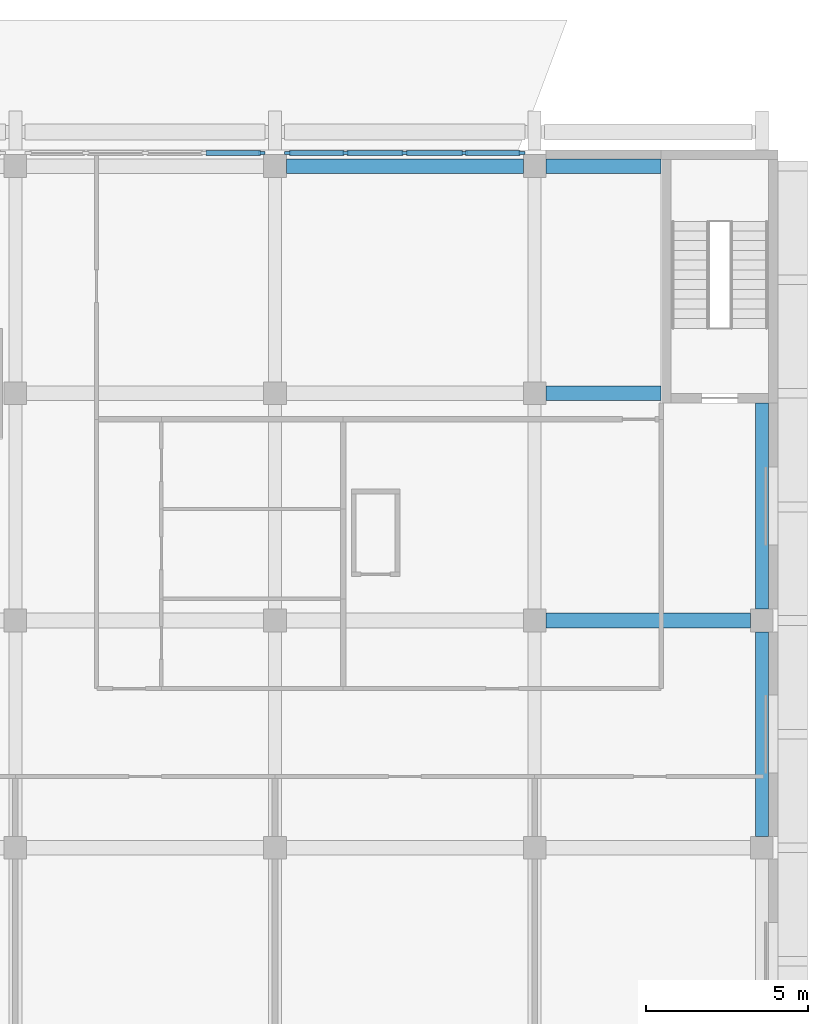
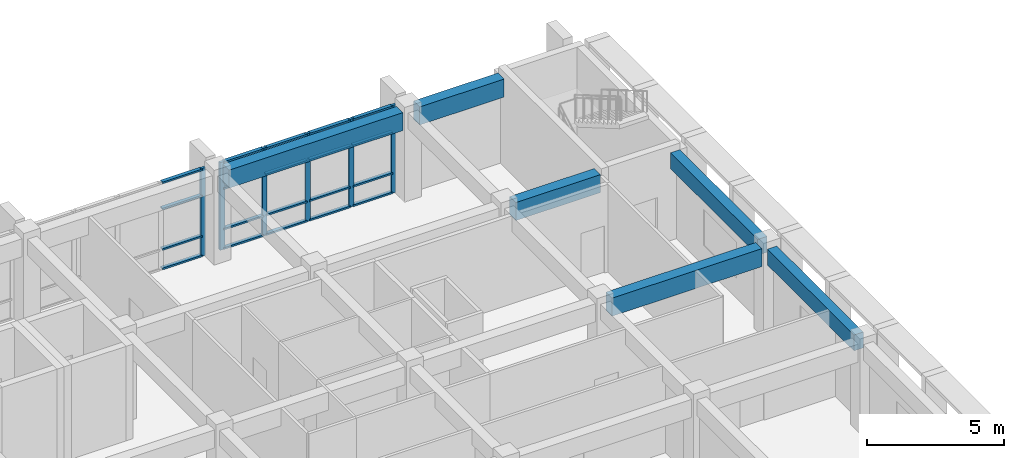
# One storey, part 17 of 45: 26 members, 6 beams, 2 elements without a shape of their own.
"""IFC4 building model written with IfcOpenShell, lengths in metres."""

from ifc_helpers import new_model, si_unit, direction, frame, origin, origin_2d, place, context, subcontext, project, spatial, rectangle, extrude, material, material_profile, profile_set, type_object, element, aggregate, save


model = new_model("IFC4")

# Units and contexts
model_context = context("Model", 3, precision=1e-05, world=origin(), true_north=direction((0.0, 1.0)))
body_context = subcontext(model_context, "Body", "Model", "MODEL_VIEW")
ifc_project = project(units=[si_unit("LENGTHUNIT", "METRE"), si_unit("AREAUNIT", "SQUARE_METRE"), si_unit("VOLUMEUNIT", "CUBIC_METRE"), si_unit("PLANEANGLEUNIT", "RADIAN"), si_unit("MASSUNIT", "GRAM", prefix="KILO")], contexts=[model_context])

# Site, building, storey
site_placement = place(None, origin())
site = spatial("IfcSite", under=ifc_project, at=site_placement, CompositionType="ELEMENT")
building_placement = place(site_placement, origin())
building = spatial("IfcBuilding", under=site, at=building_placement, Name="Elmora Arch Market Hall", CompositionType="ELEMENT")
storey_placement = place(building_placement, frame((0.0, 0.0, 6.0)))
storey = spatial("IfcBuildingStorey", under=building, at=storey_placement, Name="L01", CompositionType="ELEMENT", Elevation=6.0)

# Curtain wall, member
ifc_material_1 = material(Name="Aluminium", Category="aluminium")
curtain_wall_type = type_object("IfcCurtainWallType", Name="School front curtain wall", PredefinedType="NOTDEFINED", material=ifc_material_1)
curtain_wall_1_placement = place(storey_placement, origin())
curtain_wall_1 = element("IfcCurtainWall", 1, at=curtain_wall_1_placement, inside=storey, type_object=curtain_wall_type, Name="School street front L01 3", PredefinedType="NOTDEFINED")
ifc_material_2 = material(Name="Aluminium", Category="aluminium")
ifc_material_profile_1 = material_profile(ifc_material_2, rectangle(XDim=0.10009765625, YDim=0.199951171875, at=origin_2d()), Name="AL 100x200")
ifc_profile_set_1 = profile_set([ifc_material_profile_1], Name="Aluminium")
member_type_1 = type_object("IfcMemberType", Name="Mullion 100x200", PredefinedType="MULLION", material=ifc_profile_set_1)
member_1_placement = place(storey_placement, frame((118.10009765625, 165.89990234375, 0.0), z_axis=(0.0, 0.0, 1.0), x_axis=(0.0, 1.0, 0.0)))
member_1 = element("IfcMember", 2, at=member_1_placement, type_object=member_type_1, Name="CW5 mullion 5", PredefinedType="MULLION", context=body_context, shape_type="SweptSolid", body=[
    extrude(rectangle(XDim=0.10009765625, YDim=0.199951171875, at=origin_2d()), origin(), (0.0, 0.0, 1.0), 3.89990234375),
])

# Curtain wall, members
curtain_wall_2_placement = place(storey_placement, origin())
curtain_wall_2 = element("IfcCurtainWall", 3, at=curtain_wall_2_placement, inside=storey, type_object=curtain_wall_type, Name="School street front L01 4", PredefinedType="NOTDEFINED")
member_2_placement = place(storey_placement, frame((118.89990234375, 165.89990234375, 0.0), z_axis=(0.0, 0.0, 1.0), x_axis=(0.0, 1.0, 0.0)))
member_2 = element("IfcMember", 4, at=member_2_placement, type_object=member_type_1, Name="CW5 mullion 1", PredefinedType="MULLION", context=body_context, shape_type="SweptSolid", body=[
    extrude(rectangle(XDim=0.10009765625, YDim=0.199951171875, at=origin_2d()), origin(), (0.0, 0.0, 1.0), 3.89990234375),
])
member_3_placement = place(storey_placement, frame((120.675048828125, 165.89990234375, 0.0), z_axis=(0.0, 0.0, 1.0), x_axis=(0.0, 1.0, 0.0)))
member_3 = element("IfcMember", 5, at=member_3_placement, type_object=member_type_1, Name="CW5 mullion 2", PredefinedType="MULLION", context=body_context, shape_type="SweptSolid", body=[
    extrude(rectangle(XDim=0.10009765625, YDim=0.199951171875, at=origin_2d()), origin(), (0.0, 0.0, 1.0), 3.89990234375),
])
member_4_placement = place(storey_placement, frame((122.5, 165.89990234375, 0.0), z_axis=(0.0, 0.0, 1.0), x_axis=(0.0, 1.0, 0.0)))
member_4 = element("IfcMember", 6, at=member_4_placement, type_object=member_type_1, Name="CW5 mullion 3", PredefinedType="MULLION", context=body_context, shape_type="SweptSolid", body=[
    extrude(rectangle(XDim=0.10009765625, YDim=0.199951171875, at=origin_2d()), origin(), (0.0, 0.0, 1.0), 3.89990234375),
])
member_5_placement = place(storey_placement, frame((124.324951171875, 165.89990234375, 0.0), z_axis=(0.0, 0.0, 1.0), x_axis=(0.0, 1.0, 0.0)))
member_5 = element("IfcMember", 7, at=member_5_placement, type_object=member_type_1, Name="CW5 mullion 4", PredefinedType="MULLION", context=body_context, shape_type="SweptSolid", body=[
    extrude(rectangle(XDim=0.10009765625, YDim=0.199951171875, at=origin_2d()), origin(), (0.0, 0.0, 1.0), 3.89990234375),
])
member_6_placement = place(storey_placement, frame((126.10009765625, 165.89990234375, 0.0), z_axis=(0.0, 0.0, 1.0), x_axis=(0.0, 1.0, 0.0)))
member_6 = element("IfcMember", 8, at=member_6_placement, type_object=member_type_1, Name="CW5 mullion 5", PredefinedType="MULLION", context=body_context, shape_type="SweptSolid", body=[
    extrude(rectangle(XDim=0.10009765625, YDim=0.199951171875, at=origin_2d()), origin(), (0.0, 0.0, 1.0), 3.89990234375),
])

# Beams
ifc_material_3 = material(Name="Concrete C32/40", Category="concrete")
ifc_material_profile_2 = material_profile(ifc_material_3, rectangle(XDim=0.39990234375, YDim=0.699951171875, at=origin_2d()), Name="School beam 400x700")
ifc_profile_set_2 = profile_set([ifc_material_profile_2], Name="Concrete C32/40")
beam_type_1 = type_object("IfcBeamType", Name="School beam 400x700", PredefinedType="BEAM", material=ifc_profile_set_2)
beam_1_placement = place(storey_placement, frame((133.5, 144.85009765625, 3.550048828125), z_axis=(0.0, 1.0, 0.0), x_axis=(-1.0, 0.0, 0.0)))
element("IfcBeam", 9, at=beam_1_placement, inside=storey, type_object=beam_type_1, Name="School beam SY7 L01.3", PredefinedType="BEAM", context=body_context, shape_type="SweptSolid", body=[
    extrude(rectangle(XDim=0.39990234375, YDim=0.699951171875, at=origin_2d()), origin(), (0.0, 0.0, 1.0), 6.2998046875),
])
beam_2_placement = place(storey_placement, frame((133.5, 151.85009765625, 3.550048828125), z_axis=(0.0, 1.0, 0.0), x_axis=(-1.0, 0.0, 0.0)))
element("IfcBeam", 10, at=beam_2_placement, inside=storey, type_object=beam_type_1, Name="School beam SY7 L01.4", PredefinedType="BEAM", context=body_context, shape_type="SweptSolid", body=[
    extrude(rectangle(XDim=0.39990234375, YDim=0.699951171875, at=origin_2d()), origin(), (0.0, 0.0, 1.0), 6.349853515625),
])
ifc_material_4 = material(Name="Concrete C32/40", Category="concrete")
ifc_material_profile_3 = material_profile(ifc_material_4, rectangle(XDim=0.449951171875, YDim=0.800048828125, at=origin_2d()), Name="School girder 450x800")
ifc_profile_set_3 = profile_set([ifc_material_profile_3], Name="Concrete C32/40")
beam_type_2 = type_object("IfcBeamType", Name="School girder 450x800", PredefinedType="BEAM", material=ifc_profile_set_3)
beam_3_placement = place(storey_placement, frame((126.85009765625, 151.5, 3.5), z_axis=(1.0, 0.0, 0.0), x_axis=(0.0, 1.0, 0.0)))
element("IfcBeam", 11, at=beam_3_placement, inside=storey, type_object=beam_type_2, Name="School girder SX4 L01.6", PredefinedType="BEAM", context=body_context, shape_type="SweptSolid", body=[
    extrude(rectangle(XDim=0.449951171875, YDim=0.800048828125, at=origin_2d()), origin(), (0.0, 0.0, 1.0), 6.2998046875),
])
beam_4_placement = place(storey_placement, frame((126.85009765625, 158.5, 3.5), z_axis=(1.0, 0.0, 0.0), x_axis=(0.0, 1.0, 0.0)))
element("IfcBeam", 12, at=beam_4_placement, inside=storey, type_object=beam_type_2, Name="School girder SX5 L01.6", PredefinedType="BEAM", context=body_context, shape_type="SweptSolid", body=[
    extrude(rectangle(XDim=0.449951171875, YDim=0.800048828125, at=origin_2d()), origin(), (0.0, 0.0, 1.0), 3.5498046875),
])
beam_5_placement = place(storey_placement, frame((118.85009765625, 165.5, 3.5), z_axis=(1.0, 0.0, 0.0), x_axis=(0.0, 1.0, 0.0)))
element("IfcBeam", 13, at=beam_5_placement, inside=storey, type_object=beam_type_2, Name="School girder SX6 L01.5", PredefinedType="BEAM", context=body_context, shape_type="SweptSolid", body=[
    extrude(rectangle(XDim=0.449951171875, YDim=0.800048828125, at=origin_2d()), origin(), (0.0, 0.0, 1.0), 7.2998046875),
])
beam_6_placement = place(storey_placement, frame((126.85009765625, 165.5, 3.5), z_axis=(1.0, 0.0, 0.0), x_axis=(0.0, 1.0, 0.0)))
element("IfcBeam", 14, at=beam_6_placement, inside=storey, type_object=beam_type_2, Name="School girder SX6 L01.6", PredefinedType="BEAM", context=body_context, shape_type="SweptSolid", body=[
    extrude(rectangle(XDim=0.449951171875, YDim=0.800048828125, at=origin_2d()), origin(), (0.0, 0.0, 1.0), 3.5498046875),
])

# Member
ifc_material_5 = material(Name="Aluminium", Category="aluminium")
ifc_material_profile_4 = material_profile(ifc_material_5, rectangle(XDim=0.14990234375, YDim=0.074951171875, at=origin_2d()), Name="AL 150x75")
ifc_profile_set_4 = profile_set([ifc_material_profile_4], Name="Aluminium")
member_type_2 = type_object("IfcMemberType", Name="Transom 150x75", PredefinedType="USERDEFINED", material=ifc_profile_set_4)
member_7_placement = place(storey_placement, frame((116.375, 165.89990234375, 0.03759765625), z_axis=(1.0, 0.0, 0.0), x_axis=(0.0, 1.0, 0.0)))
member_7 = element("IfcMember", 15, at=member_7_placement, type_object=member_type_2, Name="CW5 transom 4.1", ObjectType="TRANSOM", PredefinedType="USERDEFINED", context=body_context, shape_type="SweptSolid", body=[
    extrude(rectangle(XDim=0.14990234375, YDim=0.074951171875, at=origin_2d()), origin(), (0.0, 0.0, 1.0), 1.675048828125),
])

member_8_placement = place(storey_placement, frame((116.375, 165.89990234375, 0.89990234375), z_axis=(1.0, 0.0, 0.0), x_axis=(0.0, 1.0, 0.0)))
member_8 = element("IfcMember", 16, at=member_8_placement, type_object=member_type_2, Name="CW5 transom 4.2", ObjectType="TRANSOM", PredefinedType="USERDEFINED", context=body_context, shape_type="SweptSolid", body=[
    extrude(rectangle(XDim=0.14990234375, YDim=0.074951171875, at=origin_2d()), origin(), (0.0, 0.0, 1.0), 1.675048828125),
])

member_9_placement = place(storey_placement, frame((116.375, 165.89990234375, 2.699951171875), z_axis=(1.0, 0.0, 0.0), x_axis=(0.0, 1.0, 0.0)))
member_9 = element("IfcMember", 17, at=member_9_placement, type_object=member_type_2, Name="CW5 transom 4.3", ObjectType="TRANSOM", PredefinedType="USERDEFINED", context=body_context, shape_type="SweptSolid", body=[
    extrude(rectangle(XDim=0.14990234375, YDim=0.074951171875, at=origin_2d()), origin(), (0.0, 0.0, 1.0), 1.675048828125),
])

member_10_placement = place(storey_placement, frame((116.375, 165.89990234375, 3.862548828125), z_axis=(1.0, 0.0, 0.0), x_axis=(0.0, 1.0, 0.0)))
member_10 = element("IfcMember", 18, at=member_10_placement, type_object=member_type_2, Name="CW5 transom 4.4", ObjectType="TRANSOM", PredefinedType="USERDEFINED", context=body_context, shape_type="SweptSolid", body=[
    extrude(rectangle(XDim=0.14990234375, YDim=0.074951171875, at=origin_2d()), origin(), (0.0, 0.0, 1.0), 1.675048828125),
])

aggregate(curtain_wall_1, [member_1, member_7, member_8, member_9, member_10])

member_11_placement = place(storey_placement, frame((118.949951171875, 165.89990234375, 0.03759765625), z_axis=(1.0, 0.0, 0.0), x_axis=(0.0, 1.0, 0.0)))
member_11 = element("IfcMember", 19, at=member_11_placement, type_object=member_type_2, Name="CW5 transom 1.1", ObjectType="TRANSOM", PredefinedType="USERDEFINED", context=body_context, shape_type="SweptSolid", body=[
    extrude(rectangle(XDim=0.14990234375, YDim=0.074951171875, at=origin_2d()), origin(), (0.0, 0.0, 1.0), 1.675048828125),
])

member_12_placement = place(storey_placement, frame((118.949951171875, 165.89990234375, 0.89990234375), z_axis=(1.0, 0.0, 0.0), x_axis=(0.0, 1.0, 0.0)))
member_12 = element("IfcMember", 20, at=member_12_placement, type_object=member_type_2, Name="CW5 transom 1.2", ObjectType="TRANSOM", PredefinedType="USERDEFINED", context=body_context, shape_type="SweptSolid", body=[
    extrude(rectangle(XDim=0.14990234375, YDim=0.074951171875, at=origin_2d()), origin(), (0.0, 0.0, 1.0), 1.675048828125),
])

member_13_placement = place(storey_placement, frame((118.949951171875, 165.89990234375, 2.699951171875), z_axis=(1.0, 0.0, 0.0), x_axis=(0.0, 1.0, 0.0)))
member_13 = element("IfcMember", 21, at=member_13_placement, type_object=member_type_2, Name="CW5 transom 1.3", ObjectType="TRANSOM", PredefinedType="USERDEFINED", context=body_context, shape_type="SweptSolid", body=[
    extrude(rectangle(XDim=0.14990234375, YDim=0.074951171875, at=origin_2d()), origin(), (0.0, 0.0, 1.0), 1.675048828125),
])

member_14_placement = place(storey_placement, frame((118.949951171875, 165.89990234375, 3.862548828125), z_axis=(1.0, 0.0, 0.0), x_axis=(0.0, 1.0, 0.0)))
member_14 = element("IfcMember", 22, at=member_14_placement, type_object=member_type_2, Name="CW5 transom 1.4", ObjectType="TRANSOM", PredefinedType="USERDEFINED", context=body_context, shape_type="SweptSolid", body=[
    extrude(rectangle(XDim=0.14990234375, YDim=0.074951171875, at=origin_2d()), origin(), (0.0, 0.0, 1.0), 1.675048828125),
])

member_15_placement = place(storey_placement, frame((120.72509765625, 165.89990234375, 0.03759765625), z_axis=(1.0, 0.0, 0.0), x_axis=(0.0, 1.0, 0.0)))
member_15 = element("IfcMember", 23, at=member_15_placement, type_object=member_type_2, Name="CW5 transom 2.1", ObjectType="TRANSOM", PredefinedType="USERDEFINED", context=body_context, shape_type="SweptSolid", body=[
    extrude(rectangle(XDim=0.14990234375, YDim=0.074951171875, at=origin_2d()), origin(), (0.0, 0.0, 1.0), 1.724853515625),
])

member_16_placement = place(storey_placement, frame((120.72509765625, 165.89990234375, 0.89990234375), z_axis=(1.0, 0.0, 0.0), x_axis=(0.0, 1.0, 0.0)))
member_16 = element("IfcMember", 24, at=member_16_placement, type_object=member_type_2, Name="CW5 transom 2.2", ObjectType="TRANSOM", PredefinedType="USERDEFINED", context=body_context, shape_type="SweptSolid", body=[
    extrude(rectangle(XDim=0.14990234375, YDim=0.074951171875, at=origin_2d()), origin(), (0.0, 0.0, 1.0), 1.724853515625),
])

member_17_placement = place(storey_placement, frame((120.72509765625, 165.89990234375, 2.699951171875), z_axis=(1.0, 0.0, 0.0), x_axis=(0.0, 1.0, 0.0)))
member_17 = element("IfcMember", 25, at=member_17_placement, type_object=member_type_2, Name="CW5 transom 2.3", ObjectType="TRANSOM", PredefinedType="USERDEFINED", context=body_context, shape_type="SweptSolid", body=[
    extrude(rectangle(XDim=0.14990234375, YDim=0.074951171875, at=origin_2d()), origin(), (0.0, 0.0, 1.0), 1.724853515625),
])

member_18_placement = place(storey_placement, frame((120.72509765625, 165.89990234375, 3.862548828125), z_axis=(1.0, 0.0, 0.0), x_axis=(0.0, 1.0, 0.0)))
member_18 = element("IfcMember", 26, at=member_18_placement, type_object=member_type_2, Name="CW5 transom 2.4", ObjectType="TRANSOM", PredefinedType="USERDEFINED", context=body_context, shape_type="SweptSolid", body=[
    extrude(rectangle(XDim=0.14990234375, YDim=0.074951171875, at=origin_2d()), origin(), (0.0, 0.0, 1.0), 1.724853515625),
])

member_19_placement = place(storey_placement, frame((122.550048828125, 165.89990234375, 0.03759765625), z_axis=(1.0, 0.0, 0.0), x_axis=(0.0, 1.0, 0.0)))
member_19 = element("IfcMember", 27, at=member_19_placement, type_object=member_type_2, Name="CW5 transom 3.1", ObjectType="TRANSOM", PredefinedType="USERDEFINED", context=body_context, shape_type="SweptSolid", body=[
    extrude(rectangle(XDim=0.14990234375, YDim=0.074951171875, at=origin_2d()), origin(), (0.0, 0.0, 1.0), 1.724853515625),
])

member_20_placement = place(storey_placement, frame((122.550048828125, 165.89990234375, 0.89990234375), z_axis=(1.0, 0.0, 0.0), x_axis=(0.0, 1.0, 0.0)))
member_20 = element("IfcMember", 28, at=member_20_placement, type_object=member_type_2, Name="CW5 transom 3.2", ObjectType="TRANSOM", PredefinedType="USERDEFINED", context=body_context, shape_type="SweptSolid", body=[
    extrude(rectangle(XDim=0.14990234375, YDim=0.074951171875, at=origin_2d()), origin(), (0.0, 0.0, 1.0), 1.724853515625),
])

member_21_placement = place(storey_placement, frame((122.550048828125, 165.89990234375, 2.699951171875), z_axis=(1.0, 0.0, 0.0), x_axis=(0.0, 1.0, 0.0)))
member_21 = element("IfcMember", 29, at=member_21_placement, type_object=member_type_2, Name="CW5 transom 3.3", ObjectType="TRANSOM", PredefinedType="USERDEFINED", context=body_context, shape_type="SweptSolid", body=[
    extrude(rectangle(XDim=0.14990234375, YDim=0.074951171875, at=origin_2d()), origin(), (0.0, 0.0, 1.0), 1.724853515625),
])

member_22_placement = place(storey_placement, frame((122.550048828125, 165.89990234375, 3.862548828125), z_axis=(1.0, 0.0, 0.0), x_axis=(0.0, 1.0, 0.0)))
member_22 = element("IfcMember", 30, at=member_22_placement, type_object=member_type_2, Name="CW5 transom 3.4", ObjectType="TRANSOM", PredefinedType="USERDEFINED", context=body_context, shape_type="SweptSolid", body=[
    extrude(rectangle(XDim=0.14990234375, YDim=0.074951171875, at=origin_2d()), origin(), (0.0, 0.0, 1.0), 1.724853515625),
])

member_23_placement = place(storey_placement, frame((124.375, 165.89990234375, 0.03759765625), z_axis=(1.0, 0.0, 0.0), x_axis=(0.0, 1.0, 0.0)))
member_23 = element("IfcMember", 31, at=member_23_placement, type_object=member_type_2, Name="CW5 transom 4.1", ObjectType="TRANSOM", PredefinedType="USERDEFINED", context=body_context, shape_type="SweptSolid", body=[
    extrude(rectangle(XDim=0.14990234375, YDim=0.074951171875, at=origin_2d()), origin(), (0.0, 0.0, 1.0), 1.675048828125),
])

member_24_placement = place(storey_placement, frame((124.375, 165.89990234375, 0.89990234375), z_axis=(1.0, 0.0, 0.0), x_axis=(0.0, 1.0, 0.0)))
member_24 = element("IfcMember", 32, at=member_24_placement, type_object=member_type_2, Name="CW5 transom 4.2", ObjectType="TRANSOM", PredefinedType="USERDEFINED", context=body_context, shape_type="SweptSolid", body=[
    extrude(rectangle(XDim=0.14990234375, YDim=0.074951171875, at=origin_2d()), origin(), (0.0, 0.0, 1.0), 1.675048828125),
])

member_25_placement = place(storey_placement, frame((124.375, 165.89990234375, 2.699951171875), z_axis=(1.0, 0.0, 0.0), x_axis=(0.0, 1.0, 0.0)))
member_25 = element("IfcMember", 33, at=member_25_placement, type_object=member_type_2, Name="CW5 transom 4.3", ObjectType="TRANSOM", PredefinedType="USERDEFINED", context=body_context, shape_type="SweptSolid", body=[
    extrude(rectangle(XDim=0.14990234375, YDim=0.074951171875, at=origin_2d()), origin(), (0.0, 0.0, 1.0), 1.675048828125),
])

member_26_placement = place(storey_placement, frame((124.375, 165.89990234375, 3.862548828125), z_axis=(1.0, 0.0, 0.0), x_axis=(0.0, 1.0, 0.0)))
member_26 = element("IfcMember", 34, at=member_26_placement, type_object=member_type_2, Name="CW5 transom 4.4", ObjectType="TRANSOM", PredefinedType="USERDEFINED", context=body_context, shape_type="SweptSolid", body=[
    extrude(rectangle(XDim=0.14990234375, YDim=0.074951171875, at=origin_2d()), origin(), (0.0, 0.0, 1.0), 1.675048828125),
])

aggregate(curtain_wall_2, [member_2, member_3, member_4, member_5, member_6, member_11, member_12, member_13, member_14, member_15, member_16, member_17, member_18, member_19, member_20, member_21, member_22, member_23, member_24, member_25, member_26])

save(model, "model.ifc")
